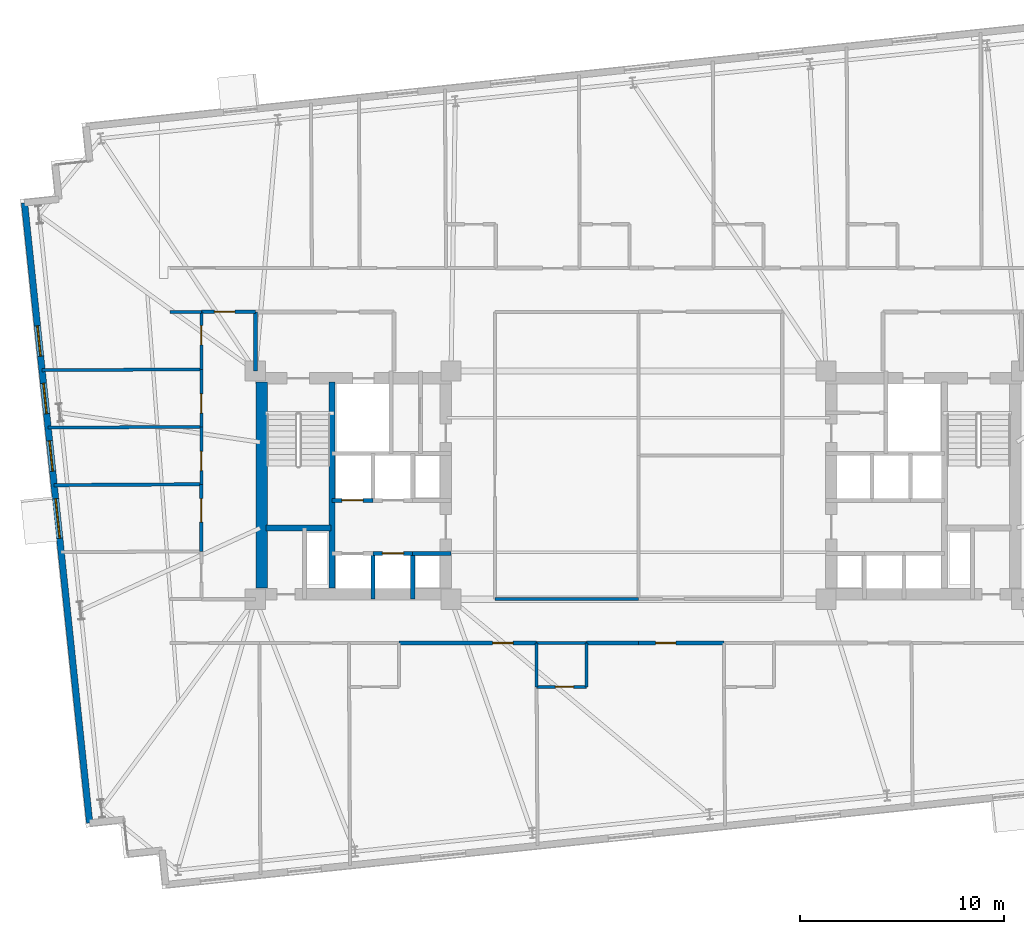
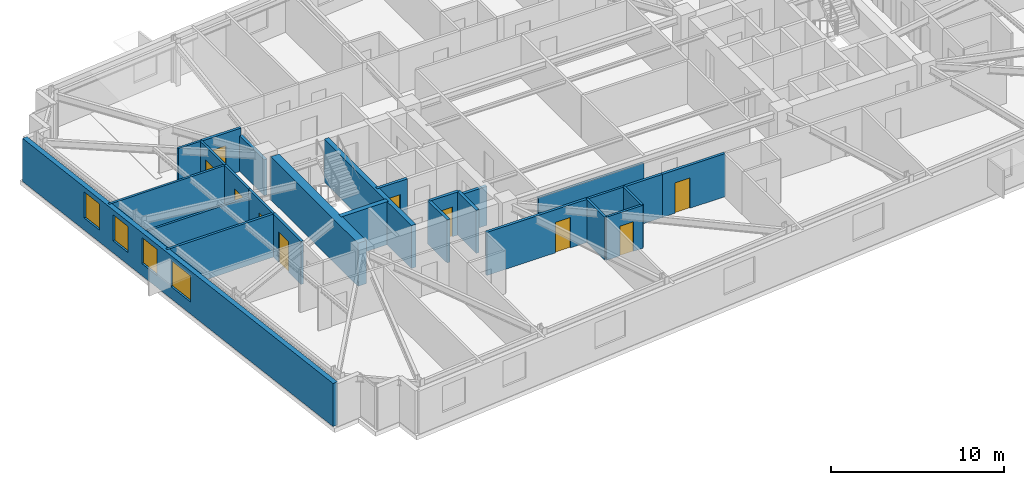
# One storey, part 12 of 20: 27 walls, 10 doors, 4 windows, 14 openings.
"""IFC4 building model written with IfcOpenShell, lengths in metres."""

from ifc_helpers import new_model, si_unit, direction, frame, frame_2d, origin, place, context, subcontext, project, spatial, rectangle, extrude, material, layer, layer_set, type_object, element, fill, save


model = new_model("IFC4")

# Units and contexts
model_context = context("Model", 3, precision=1e-05, world=origin(), true_north=direction((0.0, 1.0)))
body_context = subcontext(model_context, "Body", "Model", "MODEL_VIEW")
ifc_project = project(units=[si_unit("LENGTHUNIT", "METRE"), si_unit("AREAUNIT", "SQUARE_METRE"), si_unit("VOLUMEUNIT", "CUBIC_METRE"), si_unit("PLANEANGLEUNIT", "RADIAN"), si_unit("MASSUNIT", "GRAM", prefix="KILO")], contexts=[model_context])

# Site, building, storey
site_placement = place(None, origin())
site = spatial("IfcSite", under=ifc_project, at=site_placement, CompositionType="ELEMENT")
building_placement = place(site_placement, origin())
building = spatial("IfcBuilding", under=site, at=building_placement, Name="Qobustan Lattice House", CompositionType="ELEMENT")
storey_placement = place(building_placement, frame((0.0, 0.0, 89.050048828125)))
storey = spatial("IfcBuildingStorey", under=building, at=storey_placement, Name="L24", CompositionType="ELEMENT", Elevation=89.050048828125)

# Walls
ifc_material_1 = material(Name="Concrete C60/75", Category="concrete")
ifc_layer_1 = layer(ifc_material_1, 0.56005859375)
ifc_layer_set_1 = layer_set([ifc_layer_1], Name="Concrete C60/75")
wall_type_1 = type_object("IfcWallType", Name="WAL-CORE-600", PredefinedType="SHEAR", material=ifc_layer_set_1)
wall_1_placement = place(storey_placement, frame((-18.489990234375, -5.050048828125, 0.0), z_axis=(0.0, 0.0, 1.0), x_axis=(0.0, 1.0, 0.0)))
element("IfcWall", 1, at=wall_1_placement, inside=storey, type_object=wall_type_1, Name="L24 split-core shear wall CW-W", PredefinedType="SHEAR", context=body_context, shape_type="SweptSolid", body=[
    extrude(rectangle(XDim=10.10009765625, YDim=0.56005859375, at=frame_2d((5.050048828125, 0.0))), origin(), (0.0, 0.0, 1.0), 3.044921875),
])
ifc_material_2 = material(Name="Concrete C50/60", Category="concrete")
ifc_layer_2 = layer(ifc_material_2, 0.280029296875)
ifc_layer_set_2 = layer_set([ifc_layer_2], Name="Concrete C50/60")
wall_type_2 = type_object("IfcWallType", Name="WAL-CORE-SPINE-280", PredefinedType="SHEAR", material=ifc_layer_set_2)
wall_2_placement = place(storey_placement, frame((-15.050048828125, -5.050048828125, 0.0), z_axis=(0.0, 0.0, 1.0), x_axis=(0.0, 1.0, 0.0)))
element("IfcWall", 2, at=wall_2_placement, inside=storey, type_object=wall_type_2, Name="L24 split-core shear wall CW-M", PredefinedType="SHEAR", context=body_context, shape_type="SweptSolid", body=[
    extrude(rectangle(XDim=10.10009765625, YDim=0.300048828125, at=frame_2d((5.050048828125, 0.0))), origin(), (0.0, 0.0, 1.0), 3.044921875),
])
wall_3_placement = place(storey_placement, frame((-18.280029296875, -2.110107421875, 0.0), z_axis=(0.0, 0.0, 1.0), x_axis=(1.0, 0.0, 0.0)))
element("IfcWall", 3, at=wall_3_placement, inside=storey, type_object=wall_type_2, Name="L24 split-core shear wall CW-ST", PredefinedType="SHEAR", context=body_context, shape_type="SweptSolid", body=[
    extrude(rectangle(XDim=3.179931640625, YDim=0.300048828125, at=frame_2d((1.58984375, 0.0))), origin(), (0.0, 0.0, 1.0), 3.044921875),
])

# Wall, openings, windows
ifc_material_3 = material(Name="Precast concrete C40/50", Category="concrete")
ifc_layer_3 = layer(ifc_material_3, 0.320068359375)
ifc_layer_set_3 = layer_set([ifc_layer_3], Name="Precast concrete C40/50")
wall_type_3 = type_object("IfcWallType", Name="WAL-EXT-STONE-320", PredefinedType="SOLIDWALL", material=ifc_layer_set_3)
wall_4_placement = place(storey_placement, frame((-26.934814453125, -16.58349609375, 0.0), z_axis=(0.0, 0.0, 1.0), x_axis=(-0.104524887486, 0.994522271192, 0.0)))
wall_4 = element("IfcWall", 4, at=wall_4_placement, inside=storey, type_object=wall_type_3, Name="L24 exterior limestone-clad wall 5", PredefinedType="SOLIDWALL", context=body_context, shape_type="SweptSolid", body=[
    extrude(rectangle(XDim=30.600341796875, YDim=0.320068359375, at=frame_2d((15.30029296875, 0.0))), origin(), (0.0, 0.0, 1.0), 3.044921875),
])
opening_1_placement = place(wall_4_placement, frame((14.044677734375, 0.0, 0.85009765625)))
opening_1 = element("IfcOpeningElement", 5, at=opening_1_placement, cuts=wall_4, Name="Opening WN-08", PredefinedType="OPENING", context=body_context, shape_type="SweptSolid", body=[
    extrude(rectangle(XDim=1.949951171875, YDim=1.85009765625, at=frame_2d((0.97509765625, 0.925048828125))), frame((0.0, 0.169921875, 0.0), z_axis=(0.0, -1.0, 0.0), x_axis=(1.0, 0.0, 0.0)), (0.0, 0.0, 1.0), 0.340087890625),
])
opening_2_placement = place(wall_4_placement, frame((17.353759765625, 0.0, 0.85009765625)))
opening_2 = element("IfcOpeningElement", 6, at=opening_2_placement, cuts=wall_4, Name="Opening WN-01", PredefinedType="OPENING", context=body_context, shape_type="SweptSolid", body=[
    extrude(rectangle(XDim=1.5, YDim=1.85009765625, at=frame_2d((0.75, 0.925048828125))), frame((0.0, 0.169921875, 0.0), z_axis=(0.0, -1.0, 0.0), x_axis=(1.0, 0.0, 0.0)), (0.0, 0.0, 1.0), 0.340087890625),
])
opening_3_placement = place(wall_4_placement, frame((20.197509765625, 0.0, 0.85009765625)))
opening_3 = element("IfcOpeningElement", 7, at=opening_3_placement, cuts=wall_4, Name="Opening WN-01", PredefinedType="OPENING", context=body_context, shape_type="SweptSolid", body=[
    extrude(rectangle(XDim=1.5, YDim=1.85009765625, at=frame_2d((0.75, 0.925048828125))), frame((0.0, 0.169921875, 0.0), z_axis=(0.0, -1.0, 0.0), x_axis=(1.0, 0.0, 0.0)), (0.0, 0.0, 1.0), 0.340087890625),
])
opening_4_placement = place(wall_4_placement, frame((23.041015625, 0.0, 0.85009765625)))
opening_4 = element("IfcOpeningElement", 8, at=opening_4_placement, cuts=wall_4, Name="Opening WN-01", PredefinedType="OPENING", context=body_context, shape_type="SweptSolid", body=[
    extrude(rectangle(XDim=1.5, YDim=1.85009765625, at=frame_2d((0.75, 0.925048828125))), frame((0.0, 0.169921875, 0.0), z_axis=(0.0, -1.0, 0.0), x_axis=(1.0, 0.0, 0.0)), (0.0, 0.0, 1.0), 0.340087890625),
])
ifc_material_4 = material(Name="Double-glazed low-E aluminium window", Category="aluminium")
window_type_1 = type_object("IfcWindowType", Name="WIN-BED-1500x1850", PartitioningType="SINGLE_PANEL", PredefinedType="WINDOW", material=ifc_material_4)
window_1_placement = place(opening_2_placement, origin())
window_1 = element("IfcWindow", 9, at=window_1_placement, inside=storey, type_object=window_type_1, Name="L24 Cluster bedroom L24W1 window", OverallHeight=1.85009765625, OverallWidth=1.5, PartitioningType="SINGLE_PANEL", PredefinedType="WINDOW", context=body_context, shape_type="SweptSolid", body=[
    extrude(rectangle(XDim=1.5, YDim=1.85009765625, at=frame_2d((0.75, 0.925048828125))), frame((0.0, 0.030029296875, 0.0), z_axis=(0.0, -1.0, 0.0), x_axis=(1.0, 0.0, 0.0)), (0.0, 0.0, 1.0), 0.06005859375),
])
fill(opening_2, window_1)
window_2_placement = place(opening_3_placement, origin())
window_2 = element("IfcWindow", 10, at=window_2_placement, inside=storey, type_object=window_type_1, Name="L24 Cluster bedroom L24W2 window", OverallHeight=1.85009765625, OverallWidth=1.5, PartitioningType="SINGLE_PANEL", PredefinedType="WINDOW", context=body_context, shape_type="SweptSolid", body=[
    extrude(rectangle(XDim=1.5, YDim=1.85009765625, at=frame_2d((0.75, 0.925048828125))), frame((0.0, 0.030029296875, 0.0), z_axis=(0.0, -1.0, 0.0), x_axis=(1.0, 0.0, 0.0)), (0.0, 0.0, 1.0), 0.06005859375),
])
fill(opening_3, window_2)
window_3_placement = place(opening_4_placement, origin())
window_3 = element("IfcWindow", 11, at=window_3_placement, inside=storey, type_object=window_type_1, Name="L24 Cluster bedroom L24W3 window", OverallHeight=1.85009765625, OverallWidth=1.5, PartitioningType="SINGLE_PANEL", PredefinedType="WINDOW", context=body_context, shape_type="SweptSolid", body=[
    extrude(rectangle(XDim=1.5, YDim=1.85009765625, at=frame_2d((0.75, 0.925048828125))), frame((0.0, 0.030029296875, 0.0), z_axis=(0.0, -1.0, 0.0), x_axis=(1.0, 0.0, 0.0)), (0.0, 0.0, 1.0), 0.06005859375),
])
fill(opening_4, window_3)
ifc_material_5 = material(Name="Double-glazed low-E aluminium window", Category="aluminium")
window_type_2 = type_object("IfcWindowType", Name="WIN-KIT-1950x1850", PartitioningType="SINGLE_PANEL", PredefinedType="WINDOW", material=ifc_material_5)
window_4_placement = place(opening_1_placement, origin())
window_4 = element("IfcWindow", 12, at=window_4_placement, inside=storey, type_object=window_type_2, Name="L24 Shared kitchen L24W window", OverallHeight=1.85009765625, OverallWidth=1.949951171875, PartitioningType="SINGLE_PANEL", PredefinedType="WINDOW", context=body_context, shape_type="SweptSolid", body=[
    extrude(rectangle(XDim=1.949951171875, YDim=1.85009765625, at=frame_2d((0.97509765625, 0.925048828125))), frame((0.0, 0.030029296875, 0.0), z_axis=(0.0, -1.0, 0.0), x_axis=(1.0, 0.0, 0.0)), (0.0, 0.0, 1.0), 0.06005859375),
])
fill(opening_1, window_4)

# Wall, opening, door
ifc_material_6 = material(Name="Gypsum fireboard acoustic partition", Category="gypsum")
ifc_layer_4 = layer(ifc_material_6, 0.179931640625)
ifc_layer_set_4 = layer_set([ifc_layer_4], Name="Gypsum fireboard acoustic partition")
wall_type_4 = type_object("IfcWallType", Name="WAL-FIRE-180", PredefinedType="PARTITIONING", material=ifc_layer_set_4)
wall_5_placement = place(storey_placement, frame((-18.800048828125, 8.5, 0.0), z_axis=(0.0, 0.0, 1.0), x_axis=(-1.0, 0.0, 0.0)))
wall_5 = element("IfcWall", 13, at=wall_5_placement, inside=storey, type_object=wall_type_4, Name="L24 interior partition 38", PredefinedType="PARTITIONING", context=body_context, shape_type="SweptSolid", body=[
    extrude(rectangle(XDim=2.64990234375, YDim=0.179931640625, at=frame_2d((1.324951171875, 0.0))), origin(), (0.0, 0.0, 1.0), 3.044921875),
])
opening_5_placement = place(wall_5_placement, frame((1.0087890625, 0.0, 0.0)))
opening_5 = element("IfcOpeningElement", 14, at=opening_5_placement, cuts=wall_5, Name="Opening FD-02", PredefinedType="OPENING", context=body_context, shape_type="SweptSolid", body=[
    extrude(rectangle(XDim=1.0, YDim=2.14990234375, at=frame_2d((0.5, 1.074951171875))), frame((0.0, 0.099853515625, 0.0), z_axis=(0.0, -1.0, 0.0), x_axis=(1.0, 0.0, 0.0)), (0.0, 0.0, 1.0), 0.199951171875),
])
ifc_material_7 = material(Name="Persian walnut timber and steel frame door", Category="steel")
door_type_1 = type_object("IfcDoorType", Name="DOR-UNIT-FD-1000x2150", OperationType="NOTDEFINED", PredefinedType="DOOR", material=ifc_material_7)
door_1_placement = place(opening_5_placement, origin())
door_1 = element("IfcDoor", 15, at=door_1_placement, inside=storey, type_object=door_type_1, Name="L24 North-west floor corridor to Residence entrance hall L24W door", OperationType="SINGLE_SWING_LEFT", OverallHeight=2.14990234375, OverallWidth=1.0, PredefinedType="DOOR", context=body_context, shape_type="SweptSolid", body=[
    extrude(rectangle(XDim=1.0, YDim=2.14990234375, at=frame_2d((0.5, 1.074951171875))), frame((0.0, 0.02490234375, 0.0), z_axis=(0.0, -1.0, 0.0), x_axis=(1.0, 0.0, 0.0)), (0.0, 0.0, 1.0), 0.050048828125),
])
fill(opening_5, door_1)

wall_6_placement = place(storey_placement, frame((-5.0, -7.75, 0.0), z_axis=(0.0, 0.0, 1.0), x_axis=(-1.0, 0.0, 0.0)))
wall_6 = element("IfcWall", 16, at=wall_6_placement, inside=storey, type_object=wall_type_4, Name="L24 interior partition 61", PredefinedType="PARTITIONING", context=body_context, shape_type="SweptSolid", body=[
    extrude(rectangle(XDim=6.75, YDim=0.179931640625, at=frame_2d((3.375, 0.0))), origin(), (0.0, 0.0, 1.0), 3.044921875),
])
opening_6_placement = place(wall_6_placement, frame((1.15380859375, 0.0, 0.0)))
opening_6 = element("IfcOpeningElement", 17, at=opening_6_placement, cuts=wall_6, Name="Opening FD-02", PredefinedType="OPENING", context=body_context, shape_type="SweptSolid", body=[
    extrude(rectangle(XDim=1.0, YDim=2.14990234375, at=frame_2d((0.5, 1.074951171875))), frame((0.0, 0.099853515625, 0.0), z_axis=(0.0, -1.0, 0.0), x_axis=(1.0, 0.0, 0.0)), (0.0, 0.0, 1.0), 0.199951171875),
])
door_2_placement = place(opening_6_placement, origin())
door_2 = element("IfcDoor", 18, at=door_2_placement, inside=storey, type_object=door_type_1, Name="L24 South-west floor corridor to Kitchenette and studio apartment L24-S2 door", OperationType="SINGLE_SWING_RIGHT", OverallHeight=2.14990234375, OverallWidth=1.0, PredefinedType="DOOR", context=body_context, shape_type="SweptSolid", body=[
    extrude(rectangle(XDim=1.0, YDim=2.14990234375, at=frame_2d((0.5, 1.074951171875))), frame((0.0, 0.02490234375, 0.0), z_axis=(0.0, -1.0, 0.0), x_axis=(1.0, 0.0, 0.0)), (0.0, 0.0, 1.0), 0.050048828125),
])
fill(opening_6, door_2)

# Wall
wall_7_placement = place(storey_placement, frame((0.0, -7.75, 0.0), z_axis=(0.0, 0.0, 1.0), x_axis=(-1.0, 0.0, 0.0)))
element("IfcWall", 19, at=wall_7_placement, inside=storey, type_object=wall_type_4, Name="L24 interior partition 63", PredefinedType="PARTITIONING", context=body_context, shape_type="SweptSolid", body=[
    extrude(rectangle(XDim=2.550048828125, YDim=0.179931640625, at=frame_2d((1.27490234375, 0.0))), origin(), (0.0, 0.0, 1.0), 3.044921875),
])

# Wall, opening, door
wall_8_placement = place(storey_placement, frame((4.199951171875, -7.75, 0.0), z_axis=(0.0, 0.0, 1.0), x_axis=(-1.0, 0.0, 0.0)))
wall_8 = element("IfcWall", 20, at=wall_8_placement, inside=storey, type_object=wall_type_4, Name="L24 interior partition 68", PredefinedType="PARTITIONING", context=body_context, shape_type="SweptSolid", body=[
    extrude(rectangle(XDim=4.199951171875, YDim=0.179931640625, at=frame_2d((2.10009765625, 0.0))), origin(), (0.0, 0.0, 1.0), 3.044921875),
])
opening_7_placement = place(wall_8_placement, frame((2.364990234375, 0.0, 0.0)))
opening_7 = element("IfcOpeningElement", 21, at=opening_7_placement, cuts=wall_8, Name="Opening FD-02", PredefinedType="OPENING", context=body_context, shape_type="SweptSolid", body=[
    extrude(rectangle(XDim=1.0, YDim=2.14990234375, at=frame_2d((0.5, 1.074951171875))), frame((0.0, 0.099853515625, 0.0), z_axis=(0.0, -1.0, 0.0), x_axis=(1.0, 0.0, 0.0)), (0.0, 0.0, 1.0), 0.199951171875),
])
door_3_placement = place(opening_7_placement, origin())
door_3 = element("IfcDoor", 22, at=door_3_placement, inside=storey, type_object=door_type_1, Name="L24 South-east floor corridor to Kitchenette and studio apartment L24-S3 door", OperationType="SINGLE_SWING_LEFT", OverallHeight=2.14990234375, OverallWidth=1.0, PredefinedType="DOOR", context=body_context, shape_type="SweptSolid", body=[
    extrude(rectangle(XDim=1.0, YDim=2.14990234375, at=frame_2d((0.5, 1.074951171875))), frame((0.0, 0.02490234375, 0.0), z_axis=(0.0, -1.0, 0.0), x_axis=(1.0, 0.0, 0.0)), (0.0, 0.0, 1.0), 0.050048828125),
])
fill(opening_7, door_3)

# Walls
ifc_material_8 = material(Name="Acoustic twin-stud gypsum partition", Category="gypsum")
ifc_layer_5 = layer(ifc_material_8, 0.14990234375)
ifc_layer_set_5 = layer_set([ifc_layer_5], Name="Acoustic twin-stud gypsum partition")
wall_type_5 = type_object("IfcWallType", Name="WAL-PART-150", PredefinedType="PARTITIONING", material=ifc_layer_set_5)
wall_9_placement = place(storey_placement, frame((-21.449951171875, 8.5, 0.0), z_axis=(0.0, 0.0, 1.0), x_axis=(-1.0, 0.0, 0.0)))
element("IfcWall", 23, at=wall_9_placement, inside=storey, type_object=wall_type_5, Name="L24 interior partition 39", PredefinedType="PARTITIONING", context=body_context, shape_type="SweptSolid", body=[
    extrude(rectangle(XDim=1.550048828125, YDim=0.14990234375, at=frame_2d((0.77490234375, 0.0))), origin(), (0.0, 0.0, 1.0), 3.044921875),
])
wall_10_placement = place(storey_placement, frame((-7.050048828125, -5.60009765625, 0.0), z_axis=(0.0, 0.0, 1.0), x_axis=(1.0, 0.0, 0.0)))
element("IfcWall", 24, at=wall_10_placement, inside=storey, type_object=wall_type_5, Name="L24 interior partition 65", PredefinedType="PARTITIONING", context=body_context, shape_type="SweptSolid", body=[
    extrude(rectangle(XDim=7.050048828125, YDim=0.14990234375, at=frame_2d((3.52490234375, 0.0))), origin(), (0.0, 0.0, 1.0), 2.530029296875),
])

# Wall, opening, door
wall_11_placement = place(storey_placement, frame((-21.449951171875, 0.0400390625, 0.0), z_axis=(0.0, 0.0, 1.0), x_axis=(0.0, 1.0, 0.0)))
wall_11 = element("IfcWall", 25, at=wall_11_placement, inside=storey, type_object=wall_type_5, Name="L24 interior partition 78", PredefinedType="PARTITIONING", context=body_context, shape_type="SweptSolid", body=[
    extrude(rectangle(XDim=2.820068359375, YDim=0.14990234375, at=frame_2d((1.41015625, 0.0))), origin(), (0.0, 0.0, 1.0), 3.044921875),
])
opening_8_placement = place(wall_11_placement, frame((0.668701171875, 0.0, 0.0)))
opening_8 = element("IfcOpeningElement", 26, at=opening_8_placement, cuts=wall_11, Name="Opening ID-01", PredefinedType="OPENING", context=body_context, shape_type="SweptSolid", body=[
    extrude(rectangle(XDim=0.949951171875, YDim=2.10009765625, at=frame_2d((0.47509765625, 1.050048828125))), frame((0.0, 0.0849609375, 0.0), z_axis=(0.0, -1.0, 0.0), x_axis=(1.0, 0.0, 0.0)), (0.0, 0.0, 1.0), 0.169921875),
])
ifc_material_9 = material(Name="Persian walnut timber and steel frame door", Category="steel")
door_type_2 = type_object("IfcDoorType", Name="DOR-ROOM-950x2100", OperationType="NOTDEFINED", PredefinedType="DOOR", material=ifc_material_9)
door_4_placement = place(opening_8_placement, origin())
door_4 = element("IfcDoor", 27, at=door_4_placement, inside=storey, type_object=door_type_2, Name="L24 Residence entrance hall L24W to Cluster bedroom L24W1 door", OperationType="SINGLE_SWING_RIGHT", OverallHeight=2.10009765625, OverallWidth=0.949951171875, PredefinedType="DOOR", context=body_context, shape_type="SweptSolid", body=[
    extrude(rectangle(XDim=0.949951171875, YDim=2.10009765625, at=frame_2d((0.47509765625, 1.050048828125))), frame((0.0, 0.02490234375, 0.0), z_axis=(0.0, -1.0, 0.0), x_axis=(1.0, 0.0, 0.0)), (0.0, 0.0, 1.0), 0.050048828125),
])
fill(opening_8, door_4)

wall_12_placement = place(storey_placement, frame((-21.449951171875, 2.860107421875, 0.0), z_axis=(0.0, 0.0, 1.0), x_axis=(0.0, 1.0, 0.0)))
wall_12 = element("IfcWall", 28, at=wall_12_placement, inside=storey, type_object=wall_type_5, Name="L24 interior partition 79", PredefinedType="PARTITIONING", context=body_context, shape_type="SweptSolid", body=[
    extrude(rectangle(XDim=2.81982421875, YDim=0.14990234375, at=frame_2d((1.409912109375, 0.0))), origin(), (0.0, 0.0, 1.0), 3.044921875),
])
opening_9_placement = place(wall_12_placement, frame((0.668701171875, 0.0, 0.0)))
opening_9 = element("IfcOpeningElement", 29, at=opening_9_placement, cuts=wall_12, Name="Opening ID-01", PredefinedType="OPENING", context=body_context, shape_type="SweptSolid", body=[
    extrude(rectangle(XDim=0.949951171875, YDim=2.10009765625, at=frame_2d((0.47509765625, 1.050048828125))), frame((0.0, 0.0849609375, 0.0), z_axis=(0.0, -1.0, 0.0), x_axis=(1.0, 0.0, 0.0)), (0.0, 0.0, 1.0), 0.169921875),
])
door_5_placement = place(opening_9_placement, origin())
door_5 = element("IfcDoor", 30, at=door_5_placement, inside=storey, type_object=door_type_2, Name="L24 Residence entrance hall L24W to Cluster bedroom L24W2 door", OperationType="SINGLE_SWING_LEFT", OverallHeight=2.10009765625, OverallWidth=0.949951171875, PredefinedType="DOOR", context=body_context, shape_type="SweptSolid", body=[
    extrude(rectangle(XDim=0.949951171875, YDim=2.10009765625, at=frame_2d((0.47509765625, 1.050048828125))), frame((0.0, 0.02490234375, 0.0), z_axis=(0.0, -1.0, 0.0), x_axis=(1.0, 0.0, 0.0)), (0.0, 0.0, 1.0), 0.050048828125),
])
fill(opening_9, door_5)

wall_13_placement = place(storey_placement, frame((-21.449951171875, 5.679931640625, 0.0), z_axis=(0.0, 0.0, 1.0), x_axis=(0.0, 1.0, 0.0)))
wall_13 = element("IfcWall", 31, at=wall_13_placement, inside=storey, type_object=wall_type_5, Name="L24 interior partition 80", PredefinedType="PARTITIONING", context=body_context, shape_type="SweptSolid", body=[
    extrude(rectangle(XDim=2.820068359375, YDim=0.14990234375, at=frame_2d((1.41015625, 0.0))), origin(), (0.0, 0.0, 1.0), 3.044921875),
])
opening_10_placement = place(wall_13_placement, frame((1.201171875, 0.0, 0.0)))
opening_10 = element("IfcOpeningElement", 32, at=opening_10_placement, cuts=wall_13, Name="Opening ID-01", PredefinedType="OPENING", context=body_context, shape_type="SweptSolid", body=[
    extrude(rectangle(XDim=0.949951171875, YDim=2.10009765625, at=frame_2d((0.47509765625, 1.050048828125))), frame((0.0, 0.0849609375, 0.0), z_axis=(0.0, -1.0, 0.0), x_axis=(1.0, 0.0, 0.0)), (0.0, 0.0, 1.0), 0.169921875),
])
door_6_placement = place(opening_10_placement, origin())
door_6 = element("IfcDoor", 33, at=door_6_placement, inside=storey, type_object=door_type_2, Name="L24 Residence entrance hall L24W to Cluster bedroom L24W3 door", OperationType="SINGLE_SWING_RIGHT", OverallHeight=2.10009765625, OverallWidth=0.949951171875, PredefinedType="DOOR", context=body_context, shape_type="SweptSolid", body=[
    extrude(rectangle(XDim=0.949951171875, YDim=2.10009765625, at=frame_2d((0.47509765625, 1.050048828125))), frame((0.0, 0.02490234375, 0.0), z_axis=(0.0, -1.0, 0.0), x_axis=(1.0, 0.0, 0.0)), (0.0, 0.0, 1.0), 0.050048828125),
])
fill(opening_10, door_6)

# Walls
wall_14_placement = place(storey_placement, frame((-28.9736328125, 2.816162109375, 0.0), z_axis=(0.0, 0.0, 1.0), x_axis=(0.999982942193, 0.00584083232, 0.0)))
element("IfcWall", 34, at=wall_14_placement, inside=storey, type_object=wall_type_5, Name="L24 interior partition 83", PredefinedType="PARTITIONING", context=body_context, shape_type="SweptSolid", body=[
    extrude(rectangle(XDim=7.52392578125, YDim=0.14990234375, at=frame_2d((3.761962890625, 0.0))), origin(), (0.0, 0.0, 1.0), 2.530029296875),
])
wall_15_placement = place(storey_placement, frame((-29.27001953125, 5.635986328125, 0.0), z_axis=(0.0, 0.0, 1.0), x_axis=(0.999984210669, 0.005619467326, 0.0)))
element("IfcWall", 35, at=wall_15_placement, inside=storey, type_object=wall_type_5, Name="L24 interior partition 84", PredefinedType="PARTITIONING", context=body_context, shape_type="SweptSolid", body=[
    extrude(rectangle(XDim=7.8203125, YDim=0.14990234375, at=frame_2d((3.91015625, 0.0))), origin(), (0.0, 0.0, 1.0), 3.044921875),
])

# Wall, opening, door
ifc_material_10 = material(Name="High-mass acoustic twin-stud partition", Category="gypsum")
ifc_layer_6 = layer(ifc_material_10, 0.1650390625)
ifc_layer_set_6 = layer_set([ifc_layer_6], Name="High-mass acoustic twin-stud partition")
wall_type_6 = type_object("IfcWallType", Name="WAL-PART-165", PredefinedType="PARTITIONING", material=ifc_layer_set_6)
wall_16_placement = place(storey_placement, frame((-21.449951171875, -3.25, 0.0), z_axis=(0.0, 0.0, 1.0), x_axis=(0.0, 1.0, 0.0)))
wall_16 = element("IfcWall", 36, at=wall_16_placement, inside=storey, type_object=wall_type_6, Name="L24 interior partition 77", PredefinedType="PARTITIONING", context=body_context, shape_type="SweptSolid", body=[
    extrude(rectangle(XDim=3.2900390625, YDim=0.1650390625, at=frame_2d((1.64501953125, 0.0))), origin(), (0.0, 0.0, 1.0), 3.044921875),
])
opening_11_placement = place(wall_16_placement, frame((1.4375, 0.0, 0.0)))
opening_11 = element("IfcOpeningElement", 37, at=opening_11_placement, cuts=wall_16, Name="Opening ID-03", PredefinedType="OPENING", context=body_context, shape_type="SweptSolid", body=[
    extrude(rectangle(XDim=1.14990234375, YDim=2.14990234375, at=frame_2d((0.574951171875, 1.074951171875))), frame((0.0, 0.092529296875, 0.0), z_axis=(0.0, -1.0, 0.0), x_axis=(1.0, 0.0, 0.0)), (0.0, 0.0, 1.0), 0.18505859375),
])
ifc_material_11 = material(Name="Persian walnut timber and steel frame door", Category="steel")
door_type_3 = type_object("IfcDoorType", Name="DOR-KITCH-1150x2150", OperationType="NOTDEFINED", PredefinedType="DOOR", material=ifc_material_11)
door_7_placement = place(opening_11_placement, origin())
door_7 = element("IfcDoor", 38, at=door_7_placement, inside=storey, type_object=door_type_3, Name="L24 Residence entrance hall L24W to Shared kitchen L24W door", OperationType="SINGLE_SWING_LEFT", OverallHeight=2.14990234375, OverallWidth=1.14990234375, PredefinedType="DOOR", context=body_context, shape_type="SweptSolid", body=[
    extrude(rectangle(XDim=1.14990234375, YDim=2.14990234375, at=frame_2d((0.574951171875, 1.074951171875))), frame((0.0, 0.02490234375, 0.0), z_axis=(0.0, -1.0, 0.0), x_axis=(1.0, 0.0, 0.0)), (0.0, 0.0, 1.0), 0.050048828125),
])
fill(opening_11, door_7)

# Walls
wall_17_placement = place(storey_placement, frame((-28.67724609375, -0.00390625, 0.0), z_axis=(0.0, 0.0, 1.0), x_axis=(0.999981514486, 0.006080352417, 0.0)))
element("IfcWall", 39, at=wall_17_placement, inside=storey, type_object=wall_type_6, Name="L24 interior partition 82", PredefinedType="PARTITIONING", context=body_context, shape_type="SweptSolid", body=[
    extrude(rectangle(XDim=7.2275390625, YDim=0.1650390625, at=frame_2d((3.61376953125, 0.0))), origin(), (0.0, 0.0, 1.0), 3.044921875),
])
ifc_material_12 = material(Name="Two-hour gypsum fireboard acoustic partition", Category="gypsum")
ifc_layer_7 = layer(ifc_material_12, 0.199951171875)
ifc_layer_set_7 = layer_set([ifc_layer_7], Name="Two-hour gypsum fireboard acoustic partition")
wall_type_7 = type_object("IfcWallType", Name="WAL-PROT-200", PredefinedType="PARTITIONING", material=ifc_layer_set_7)
wall_18_placement = place(storey_placement, frame((-18.800048828125, 8.5, 0.0), z_axis=(0.0, 0.0, 1.0), x_axis=(0.0, -1.0, 0.0)))
element("IfcWall", 40, at=wall_18_placement, inside=storey, type_object=wall_type_7, Name="L24 interior partition 5", PredefinedType="PARTITIONING", context=body_context, shape_type="SweptSolid", body=[
    extrude(rectangle(XDim=2.89990234375, YDim=0.199951171875, at=frame_2d((1.449951171875, 0.0))), origin(), (0.0, 0.0, 1.0), 2.530029296875),
])

# Wall, opening, door
ifc_material_13 = material(Name="Concrete C40/50", Category="concrete")
ifc_layer_8 = layer(ifc_material_13, 0.199951171875)
ifc_layer_set_8 = layer_set([ifc_layer_8], Name="Concrete C40/50")
wall_type_8 = type_object("IfcWallType", Name="WAL-SHAFT-200", PredefinedType="PARTITIONING", material=ifc_layer_set_8)
wall_19_placement = place(storey_placement, frame((-13.02001953125, -3.35009765625, 0.0), z_axis=(0.0, 0.0, 1.0), x_axis=(1.0, 0.0, 0.0)))
wall_19 = element("IfcWall", 41, at=wall_19_placement, inside=storey, type_object=wall_type_8, Name="L24 interior partition 9", PredefinedType="PARTITIONING", context=body_context, shape_type="SweptSolid", body=[
    extrude(rectangle(XDim=1.93994140625, YDim=0.199951171875, at=frame_2d((0.969970703125, 0.0))), origin(), (0.0, 0.0, 1.0), 3.044921875),
])
opening_12_placement = place(wall_19_placement, frame((0.445068359375, 0.0, 0.0)))
opening_12 = element("IfcOpeningElement", 42, at=opening_12_placement, cuts=wall_19, Name="Opening LD-01", PredefinedType="OPENING", context=body_context, shape_type="SweptSolid", body=[
    extrude(rectangle(XDim=1.050048828125, YDim=2.10009765625, at=frame_2d((0.52490234375, 1.050048828125))), frame((0.0, 0.10986328125, 0.0), z_axis=(0.0, -1.0, 0.0), x_axis=(1.0, 0.0, 0.0)), (0.0, 0.0, 1.0), 0.219970703125),
])
ifc_material_14 = material(Name="Persian walnut timber and steel frame door", Category="steel")
door_type_4 = type_object("IfcDoorType", Name="DOR-LIFT-LD-1050x2100", OperationType="NOTDEFINED", PredefinedType="DOOR", material=ifc_material_14)
door_8_placement = place(opening_12_placement, origin())
door_8 = element("IfcDoor", 43, at=door_8_placement, inside=storey, type_object=door_type_4, Name="L24 lift landing door", OperationType="DOUBLE_DOOR_SLIDING", OverallHeight=2.10009765625, OverallWidth=1.050048828125, PredefinedType="DOOR", context=body_context, shape_type="SweptSolid", body=[
    extrude(rectangle(XDim=1.050048828125, YDim=2.10009765625, at=frame_2d((0.52490234375, 1.050048828125))), frame((0.0, 0.02490234375, 0.0), z_axis=(0.0, -1.0, 0.0), x_axis=(1.0, 0.0, 0.0)), (0.0, 0.0, 1.0), 0.050048828125),
])
fill(opening_12, door_8)

# Wall
wall_20_placement = place(storey_placement, frame((-11.080078125, -3.35009765625, 0.0), z_axis=(0.0, 0.0, 1.0), x_axis=(1.0, 0.0, 0.0)))
element("IfcWall", 44, at=wall_20_placement, inside=storey, type_object=wall_type_8, Name="L24 interior partition 10", PredefinedType="PARTITIONING", context=body_context, shape_type="SweptSolid", body=[
    extrude(rectangle(XDim=1.880126953125, YDim=0.199951171875, at=frame_2d((0.93994140625, 0.0))), origin(), (0.0, 0.0, 1.0), 2.760009765625),
])

# Wall, opening, door
wall_21_placement = place(storey_placement, frame((-13.02001953125, -0.75, 0.0), z_axis=(0.0, 0.0, 1.0), x_axis=(-1.0, 0.0, 0.0)))
wall_21 = element("IfcWall", 45, at=wall_21_placement, inside=storey, type_object=wall_type_8, Name="L24 interior partition 11", PredefinedType="PARTITIONING", context=body_context, shape_type="SweptSolid", body=[
    extrude(rectangle(XDim=2.030029296875, YDim=0.199951171875, at=frame_2d((1.01513671875, 0.0))), origin(), (0.0, 0.0, 1.0), 3.044921875),
])
opening_13_placement = place(wall_21_placement, frame((0.489990234375, 0.0, 0.0)))
opening_13 = element("IfcOpeningElement", 46, at=opening_13_placement, cuts=wall_21, Name="Opening LD-01", PredefinedType="OPENING", context=body_context, shape_type="SweptSolid", body=[
    extrude(rectangle(XDim=1.050048828125, YDim=2.10009765625, at=frame_2d((0.52490234375, 1.050048828125))), frame((0.0, 0.10986328125, 0.0), z_axis=(0.0, -1.0, 0.0), x_axis=(1.0, 0.0, 0.0)), (0.0, 0.0, 1.0), 0.219970703125),
])
door_9_placement = place(opening_13_placement, origin())
door_9 = element("IfcDoor", 47, at=door_9_placement, inside=storey, type_object=door_type_4, Name="L24 lift landing door", OperationType="DOUBLE_DOOR_SLIDING", OverallHeight=2.10009765625, OverallWidth=1.050048828125, PredefinedType="DOOR", context=body_context, shape_type="SweptSolid", body=[
    extrude(rectangle(XDim=1.050048828125, YDim=2.10009765625, at=frame_2d((0.52490234375, 1.050048828125))), frame((0.0, 0.02490234375, 0.0), z_axis=(0.0, -1.0, 0.0), x_axis=(1.0, 0.0, 0.0)), (0.0, 0.0, 1.0), 0.050048828125),
])
fill(opening_13, door_9)

# Walls
for number, where, z_axis, x_axis, name in (
    (48, (-13.02001953125, -5.60009765625, 0.0), (0.0, 0.0, 1.0), (0.0, 1.0, 0.0), "L24 interior partition 15"),
    (49, (-11.080078125, -5.60009765625, 0.0), (0.0, 0.0, 1.0), (0.0, 1.0, 0.0), "L24 interior partition 16"),
):
    element("IfcWall", number, at=place(storey_placement, frame(where, z_axis=z_axis, x_axis=x_axis)), inside=storey, type_object=wall_type_8, Name=name, PredefinedType="PARTITIONING", context=body_context, shape_type="SweptSolid", body=[
        extrude(rectangle(XDim=2.25, YDim=0.199951171875, at=frame_2d((1.125, 0.0))), origin(), (0.0, 0.0, 1.0), 3.044921875),
    ])
ifc_material_15 = material(Name="Moisture-resistant acoustic plumbing wall", Category="gypsum")
ifc_layer_9 = layer(ifc_material_15, 0.14990234375)
ifc_layer_set_9 = layer_set([ifc_layer_9], Name="Moisture-resistant acoustic plumbing wall")
wall_type_9 = type_object("IfcWallType", Name="WAL-WET-150", PredefinedType="PLUMBINGWALL", material=ifc_layer_set_9)
wall_22_placement = place(storey_placement, frame((-2.550048828125, -7.75, 0.0), z_axis=(0.0, 0.0, 1.0), x_axis=(-1.0, 0.0, 0.0)))
element("IfcWall", 50, at=wall_22_placement, inside=storey, type_object=wall_type_9, Name="L24 interior partition 64", PredefinedType="PLUMBINGWALL", context=body_context, shape_type="SweptSolid", body=[
    extrude(rectangle(XDim=2.449951171875, YDim=0.14990234375, at=frame_2d((1.22509765625, 0.0))), origin(), (0.0, 0.0, 1.0), 3.044921875),
])
wall_23_placement = place(storey_placement, frame((-5.0, -7.75, 0.0), z_axis=(0.0, 0.0, 1.0), x_axis=(0.0, -1.0, 0.0)))
element("IfcWall", 51, at=wall_23_placement, inside=storey, type_object=wall_type_9, Name="L24 interior partition 122", PredefinedType="PLUMBINGWALL", context=body_context, shape_type="SweptSolid", body=[
    extrude(rectangle(XDim=2.14990234375, YDim=0.14990234375, at=frame_2d((1.074951171875, 0.0))), origin(), (0.0, 0.0, 1.0), 3.044921875),
])

# Wall, opening, door
wall_24_placement = place(storey_placement, frame((-5.0, -9.89990234375, 0.0), z_axis=(0.0, 0.0, 1.0), x_axis=(1.0, 0.0, 0.0)))
wall_24 = element("IfcWall", 52, at=wall_24_placement, inside=storey, type_object=wall_type_9, Name="L24 interior partition 123", PredefinedType="PLUMBINGWALL", context=body_context, shape_type="SweptSolid", body=[
    extrude(rectangle(XDim=2.449951171875, YDim=0.14990234375, at=frame_2d((1.22509765625, 0.0))), origin(), (0.0, 0.0, 1.0), 3.044921875),
])
opening_14_placement = place(wall_24_placement, frame((0.92138671875, 0.0, 0.0)))
opening_14 = element("IfcOpeningElement", 53, at=opening_14_placement, cuts=wall_24, Name="Opening WD-01", PredefinedType="OPENING", context=body_context, shape_type="SweptSolid", body=[
    extrude(rectangle(XDim=0.89990234375, YDim=2.10009765625, at=frame_2d((0.449951171875, 1.050048828125))), frame((0.0, 0.0849609375, 0.0), z_axis=(0.0, -1.0, 0.0), x_axis=(1.0, 0.0, 0.0)), (0.0, 0.0, 1.0), 0.169921875),
])
ifc_material_16 = material(Name="Persian walnut timber and steel frame door", Category="steel")
door_type_5 = type_object("IfcDoorType", Name="DOR-WET-900x2100", OperationType="NOTDEFINED", PredefinedType="DOOR", material=ifc_material_16)
door_10_placement = place(opening_14_placement, origin())
door_10 = element("IfcDoor", 54, at=door_10_placement, inside=storey, type_object=door_type_5, Name="L24 Kitchenette and studio apartment L24-S3 to En-suite bathroom L24-S3 door", OperationType="SINGLE_SWING_RIGHT", OverallHeight=2.10009765625, OverallWidth=0.89990234375, PredefinedType="DOOR", context=body_context, shape_type="SweptSolid", body=[
    extrude(rectangle(XDim=0.89990234375, YDim=2.10009765625, at=frame_2d((0.449951171875, 1.050048828125))), frame((0.0, 0.02490234375, 0.0), z_axis=(0.0, -1.0, 0.0), x_axis=(1.0, 0.0, 0.0)), (0.0, 0.0, 1.0), 0.050048828125),
])
fill(opening_14, door_10)

# Wall
wall_25_placement = place(storey_placement, frame((-2.550048828125, -9.89990234375, 0.0), z_axis=(0.0, 0.0, 1.0), x_axis=(0.0, 1.0, 0.0)))
element("IfcWall", 55, at=wall_25_placement, inside=storey, type_object=wall_type_9, Name="L24 interior partition 124", PredefinedType="PLUMBINGWALL", context=body_context, shape_type="SweptSolid", body=[
    extrude(rectangle(XDim=2.14990234375, YDim=0.14990234375, at=frame_2d((1.074951171875, 0.0))), origin(), (0.0, 0.0, 1.0), 3.044921875),
])

save(model, "model.ifc")
